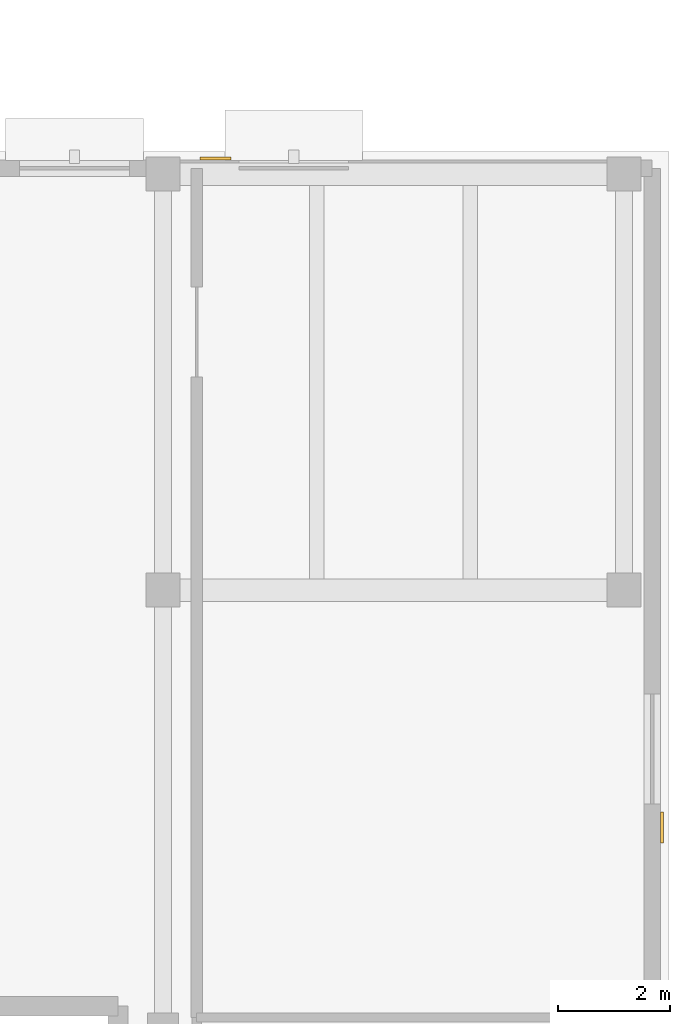
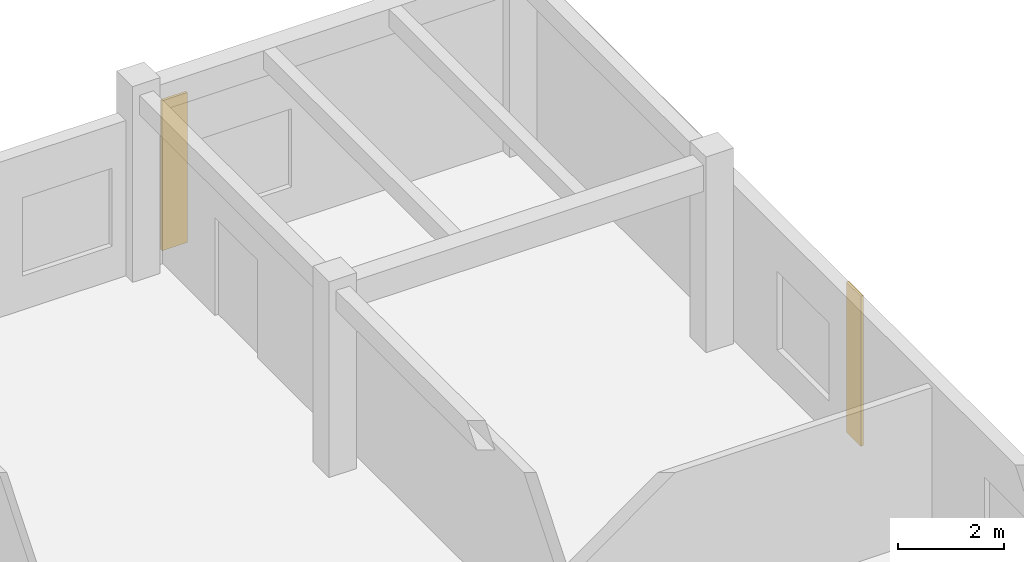
# One storey, part 46 of 46: 2 coverings.
"""IFC4 building model written with IfcOpenShell, lengths in metres."""

import ifcopenshell
import ifcopenshell.guid

model = None  # the IFC model being written
_history = None  # IfcOwnerHistory: only IFC2X3 demands one
_inside = {}  # id of a spatial element -> (the spatial element, [elements in it])
_under = {}  # id of a project, library or spatial element -> (it, [spatial elements below it])
_declared = {}  # id of a project -> (the project, [libraries it declares])
_typed = {}  # id of a type object -> (the type object, [elements of that type])
_made_of = {}  # id of a material, layer set ... -> (it, [elements and type objects made of it])


def new_model(schema):
    """Start an empty IFC model of exactly this schema.

    Asked for "IFC4X3", IfcOpenShell would pick the latest addendum, in which some entities
    have other attributes; the version numbers below select the first issue.
    IFC2X3 requires an IfcOwnerHistory on every rooted entity: one is made here for all.
    """
    global model, _history
    if schema == "IFC4X3":
        model = ifcopenshell.file(schema_version=(4, 3, 0, 0))
    else:
        model = ifcopenshell.file(schema=schema)
    _inside.clear()
    _under.clear()
    _declared.clear()
    _typed.clear()
    _made_of.clear()
    _history = None
    if model.schema == "IFC2X3":
        org = make("IfcOrganization", Name="unknown")
        user = make(
            "IfcPersonAndOrganization",
            ThePerson=make("IfcPerson", FamilyName="unknown"),
            TheOrganization=org,
        )
        app = make(
            "IfcApplication",
            ApplicationDeveloper=org,
            Version="unknown",
            ApplicationFullName="unknown",
            ApplicationIdentifier="unknown",
        )
        _history = make(
            "IfcOwnerHistory",
            OwningUser=user,
            OwningApplication=app,
            ChangeAction="ADDED",
            CreationDate=0,
        )
    return model


def make(cls, **values):
    """One entity of the class cls with the attributes given. An attribute that is None is left unset."""
    return model.create_entity(
        cls, **{name: value for name, value in values.items() if value is not None}
    )


def rooted(cls, **values):
    """An entity with a GlobalId (a new one), such as an element, a storey or a relation."""
    return make(cls, GlobalId=ifcopenshell.guid.new(), OwnerHistory=_history, **values)


def si_unit(unit_type, name, prefix=None):
    """IfcSIUnit, for example si_unit("LENGTHUNIT", "METRE", prefix="MILLI")."""
    return make("IfcSIUnit", UnitType=unit_type, Prefix=prefix, Name=name)


def assignment(units):
    """IfcUnitAssignment: the units of a project."""
    return None if units is None else make("IfcUnitAssignment", Units=units)


def point(xyz):
    """IfcCartesianPoint."""
    return None if xyz is None else make("IfcCartesianPoint", Coordinates=xyz)


def direction(xyz):
    """IfcDirection."""
    return None if xyz is None else make("IfcDirection", DirectionRatios=xyz)


def frame(location, z_axis=None, x_axis=None):
    """IfcAxis2Placement3D, a coordinate frame: its origin and axes. An axis left out is left unset."""
    return make(
        "IfcAxis2Placement3D",
        Location=point(location),
        Axis=direction(z_axis),
        RefDirection=direction(x_axis),
    )


def frame_2d(location, x_axis=None):
    """IfcAxis2Placement2D, a coordinate frame in the plane: its origin and x axis."""
    return make(
        "IfcAxis2Placement2D", Location=point(location), RefDirection=direction(x_axis)
    )


def origin():
    """The frame at (0, 0, 0) with its axes left unset."""
    return frame((0.0, 0.0, 0.0))


def origin_2d():
    """The frame at (0, 0) in the plane with its x axis left unset."""
    return frame_2d((0.0, 0.0))


def place(relative_to, where):
    """IfcLocalPlacement: puts the frame where relative to a parent placement (None: the world)."""
    return make(
        "IfcLocalPlacement", PlacementRelTo=relative_to, RelativePlacement=where
    )


def context(
    kind, dimensions, precision=None, world=None, true_north=None, identifier=None
):
    """IfcGeometricRepresentationContext, for example the 3D "Model" context."""
    return make(
        "IfcGeometricRepresentationContext",
        ContextIdentifier=identifier,
        ContextType=kind,
        CoordinateSpaceDimension=dimensions,
        Precision=precision,
        WorldCoordinateSystem=world,
        TrueNorth=true_north,
    )


def subcontext(parent, identifier, kind, view, scale=None):
    """IfcGeometricRepresentationSubContext, for example "Body" below "Model"."""
    return make(
        "IfcGeometricRepresentationSubContext",
        ContextIdentifier=identifier,
        ContextType=kind,
        ParentContext=parent,
        TargetScale=scale,
        TargetView=view,
    )


def project(units=None, contexts=None):
    """IfcProject with its units and contexts."""
    return rooted(
        "IfcProject",
        Name="project",
        RepresentationContexts=contexts,
        UnitsInContext=assignment(units),
    )


def spatial(cls, under=None, at=None, **own):
    """A site, building, storey or space (cls), placed at a placement, below another one or the project."""
    s = rooted(cls, ObjectPlacement=at, **own)
    if under is not None:
        _under.setdefault(under.id(), (under, []))[1].append(s)
    return s


def profile(cls, at=None, kind="AREA", **sizes):
    """A parametric profile (cls). Its sizes go by their IFC names, for example OverallWidth=200.0."""
    return make(cls, ProfileType=kind, Position=at, **sizes)


def rectangle(**sizes):
    """IfcRectangleProfileDef."""
    return profile("IfcRectangleProfileDef", **sizes)


def extrude(swept, where, along, depth):
    """IfcExtrudedAreaSolid: the profile swept, set in the frame where, extruded along a direction by depth."""
    return make(
        "IfcExtrudedAreaSolid",
        SweptArea=swept,
        Position=where,
        ExtrudedDirection=direction(along),
        Depth=depth,
    )


def shape(context_of_items, identifier, shape_type, items):
    """IfcShapeRepresentation: the items that make up one representation, for example the "Body"."""
    return make(
        "IfcShapeRepresentation",
        ContextOfItems=context_of_items,
        RepresentationIdentifier=identifier,
        RepresentationType=shape_type,
        Items=items,
    )


def material(Name=None, Category=None):
    """IfcMaterial."""
    return make("IfcMaterial", Name=Name, Category=Category)


def layer(
    of_material, thickness, ventilated=None, Name=None, Category=None, Priority=None
):
    """IfcMaterialLayer: one layer of a wall or slab, of a material (None: an air gap)."""
    return make(
        "IfcMaterialLayer",
        Material=of_material,
        LayerThickness=thickness,
        IsVentilated=ventilated,
        Name=Name,
        Category=Category,
        Priority=Priority,
    )


def layer_set(layers, Name=None):
    """IfcMaterialLayerSet."""
    return make("IfcMaterialLayerSet", MaterialLayers=layers, LayerSetName=Name)


def made_of(thing, what):
    """Note that an element or type object is made of a material, layer set ...; save() writes the relation."""
    if what is not None:
        _made_of.setdefault(what.id(), (what, []))[1].append(thing)
    return thing


def type_object(cls, material=None, **own):
    """A type object (cls), such as IfcWallType, which elements share."""
    return made_of(rooted(cls, **own), material)


def element(
    cls,
    number,
    at=None,
    inside=None,
    cuts=None,
    type_object=None,
    material=None,
    context=None,
    identifier="Body",
    shape_type=None,
    held_by="IfcProductDefinitionShape",
    body=None,
    shapes=None,
    **own,
):
    """One element of the class cls, such as IfcWall. Its Tag is "e" and its number.

    at: its placement. inside: the storey or other place that contains it. cuts: it is an
    opening in that element (IfcRelVoidsElement). A single representation is given by context,
    identifier, shape_type and body (its items); several are given by shapes. held_by: the class
    of the entity that holds the representations. save() writes the other relations.
    """
    e = rooted(cls, Tag="e%d" % number, ObjectPlacement=at, **own)
    if body is not None:
        shapes = [shape(context, identifier, shape_type, body)]
    if shapes is not None:
        e.Representation = make(held_by, Representations=shapes)
    if inside is not None:
        _inside.setdefault(inside.id(), (inside, []))[1].append(e)
    if cuts is not None:
        rooted(
            "IfcRelVoidsElement", RelatingBuildingElement=cuts, RelatedOpeningElement=e
        )
    if type_object is not None:
        _typed.setdefault(type_object.id(), (type_object, []))[1].append(e)
    return made_of(e, material)


def aggregate(whole, parts):
    """IfcRelAggregates: a whole, such as a stair, and the parts it consists of."""
    return rooted("IfcRelAggregates", RelatingObject=whole, RelatedObjects=parts)


def save(model, path):
    """Write the relations noted so far, then the file.

    IfcRelAggregates (storeys below a building ...), IfcRelContainedInSpatialStructure (elements
    in a storey), IfcRelDefinesByType, IfcRelAssociatesMaterial and IfcRelDeclares: one each for
    every whole, place, type object, material and project.
    """
    for whole, parts in _under.values():
        aggregate(whole, parts)
    for where, things in _inside.values():
        rooted(
            "IfcRelContainedInSpatialStructure",
            RelatedElements=things,
            RelatingStructure=where,
        )
    for kind, things in _typed.values():
        rooted("IfcRelDefinesByType", RelatedObjects=things, RelatingType=kind)
    for what, things in _made_of.values():
        rooted("IfcRelAssociatesMaterial", RelatedObjects=things, RelatingMaterial=what)
    for by, libraries in _declared.values():
        rooted("IfcRelDeclares", RelatingContext=by, RelatedDefinitions=libraries)
    model.write(path)


model = new_model("IFC4")

# Units and contexts
model_context = context("Model", 3, precision=1e-05, world=origin(), true_north=direction((0.0, 1.0)))
body_context = subcontext(model_context, "Body", "Model", "MODEL_VIEW")
ifc_project = project(units=[si_unit("LENGTHUNIT", "METRE"), si_unit("AREAUNIT", "SQUARE_METRE"), si_unit("VOLUMEUNIT", "CUBIC_METRE"), si_unit("PLANEANGLEUNIT", "RADIAN"), si_unit("MASSUNIT", "GRAM", prefix="KILO")], contexts=[model_context])

# Site, building, storey
site_placement = place(None, origin())
site = spatial("IfcSite", under=ifc_project, at=site_placement, CompositionType="ELEMENT")
building_placement = place(site_placement, origin())
building = spatial("IfcBuilding", under=site, at=building_placement, Name="Pelvatis Terrace Science Centre", CompositionType="ELEMENT")
storey_placement = place(building_placement, frame((0.0, 0.0, 19.800048828125)))
storey = spatial("IfcBuildingStorey", under=building, at=storey_placement, Name="L04", CompositionType="ELEMENT", Elevation=19.800048828125)

# Coverings
ifc_material = material(Name="Fluted warm stone-aggregate precast facade relief panel", Category="masonry")
ifc_layer = layer(ifc_material, 0.054931640625)
ifc_layer_set = layer_set([ifc_layer], Name="Fluted warm stone-aggregate precast facade relief panel")
covering_type = type_object("IfcCoveringType", Name="COV-CLAD-PREC-55", PredefinedType="CLADDING", material=ifc_layer_set)
covering_1_placement = place(storey_placement, frame((157.072509765625, 89.3798828125, 0.06005859375), z_axis=(0.0, 0.0, 1.0), x_axis=(1.0, 0.0, 0.0)))
element("IfcCovering", 1, at=covering_1_placement, inside=storey, type_object=covering_type, Name="Classical fluted stone pilaster strip 79", PredefinedType="CLADDING", context=body_context, shape_type="SweptSolid", body=[
    extrude(rectangle(XDim=0.054931640625, YDim=0.550048828125, at=origin_2d()), origin(), (0.0, 0.0, 1.0), 3.449951171875),
])
covering_2_placement = place(storey_placement, frame((149.1298828125, 101.2724609375, 0.06005859375), z_axis=(0.0, 0.0, 1.0), x_axis=(1.0, 0.0, 0.0)))
element("IfcCovering", 2, at=covering_2_placement, inside=storey, type_object=covering_type, Name="Classical fluted stone pilaster strip 82", PredefinedType="CLADDING", context=body_context, shape_type="SweptSolid", body=[
    extrude(rectangle(XDim=0.550048828125, YDim=0.054931640625, at=origin_2d()), origin(), (0.0, 0.0, 1.0), 3.449951171875),
])

save(model, "model.ifc")
